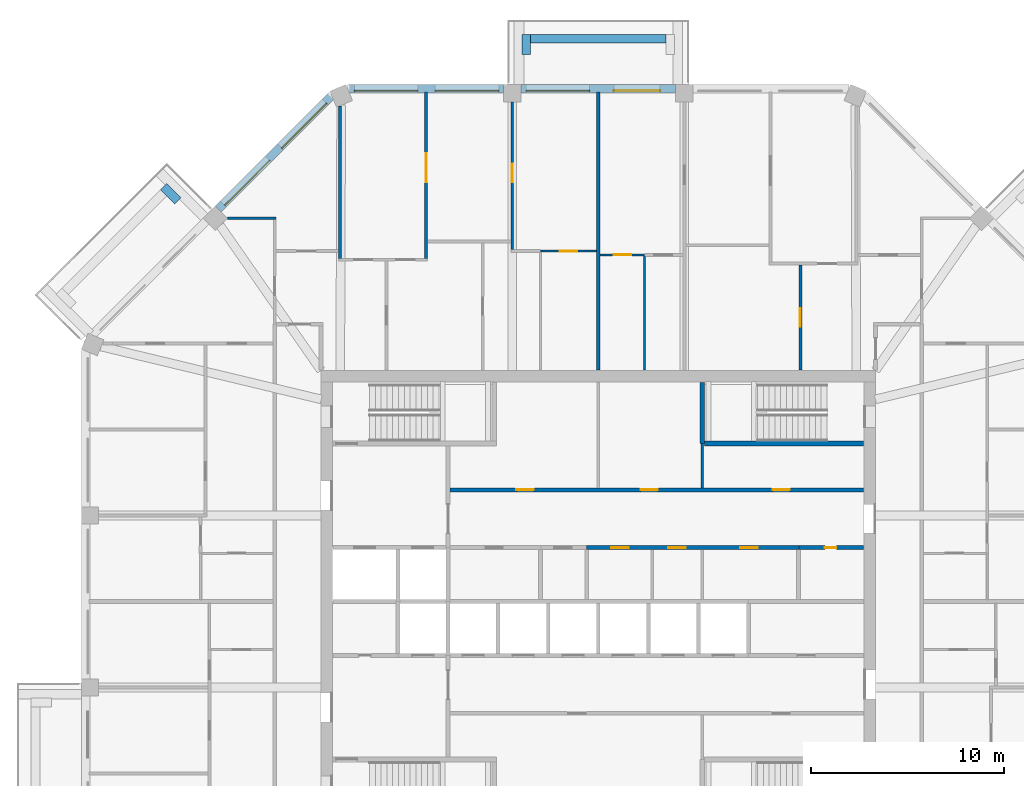
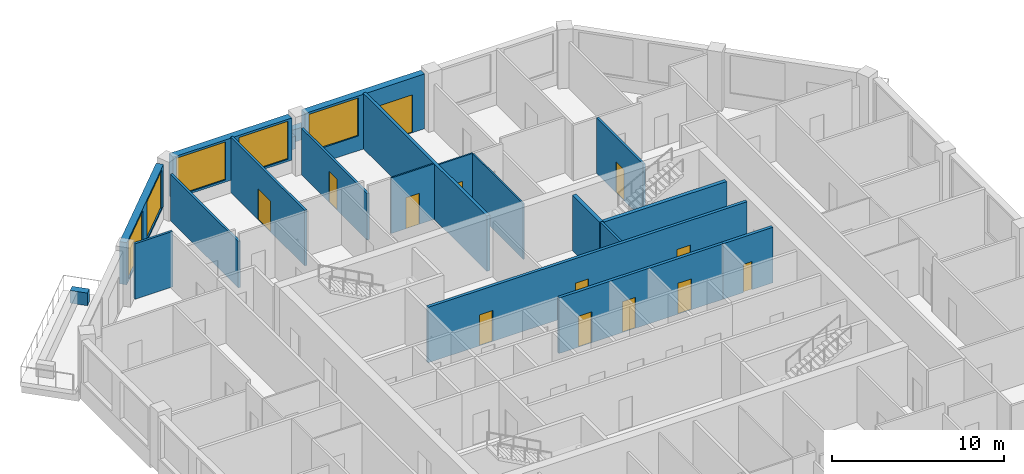
# One storey, part 8 of 11: 21 walls, 13 doors, 5 windows, 18 openings.
"""IFC4 building model written with IfcOpenShell, lengths in metres."""

import ifcopenshell
import ifcopenshell.guid

model = None  # the IFC model being written
_history = None  # IfcOwnerHistory: only IFC2X3 demands one
_inside = {}  # id of a spatial element -> (the spatial element, [elements in it])
_under = {}  # id of a project, library or spatial element -> (it, [spatial elements below it])
_declared = {}  # id of a project -> (the project, [libraries it declares])
_typed = {}  # id of a type object -> (the type object, [elements of that type])
_made_of = {}  # id of a material, layer set ... -> (it, [elements and type objects made of it])


def new_model(schema):
    """Start an empty IFC model of exactly this schema.

    Asked for "IFC4X3", IfcOpenShell would pick the latest addendum, in which some entities
    have other attributes; the version numbers below select the first issue.
    IFC2X3 requires an IfcOwnerHistory on every rooted entity: one is made here for all.
    """
    global model, _history
    if schema == "IFC4X3":
        model = ifcopenshell.file(schema_version=(4, 3, 0, 0))
    else:
        model = ifcopenshell.file(schema=schema)
    _inside.clear()
    _under.clear()
    _declared.clear()
    _typed.clear()
    _made_of.clear()
    _history = None
    if model.schema == "IFC2X3":
        org = make("IfcOrganization", Name="unknown")
        user = make(
            "IfcPersonAndOrganization",
            ThePerson=make("IfcPerson", FamilyName="unknown"),
            TheOrganization=org,
        )
        app = make(
            "IfcApplication",
            ApplicationDeveloper=org,
            Version="unknown",
            ApplicationFullName="unknown",
            ApplicationIdentifier="unknown",
        )
        _history = make(
            "IfcOwnerHistory",
            OwningUser=user,
            OwningApplication=app,
            ChangeAction="ADDED",
            CreationDate=0,
        )
    return model


def make(cls, **values):
    """One entity of the class cls with the attributes given. An attribute that is None is left unset."""
    return model.create_entity(
        cls, **{name: value for name, value in values.items() if value is not None}
    )


def rooted(cls, **values):
    """An entity with a GlobalId (a new one), such as an element, a storey or a relation."""
    return make(cls, GlobalId=ifcopenshell.guid.new(), OwnerHistory=_history, **values)


def si_unit(unit_type, name, prefix=None):
    """IfcSIUnit, for example si_unit("LENGTHUNIT", "METRE", prefix="MILLI")."""
    return make("IfcSIUnit", UnitType=unit_type, Prefix=prefix, Name=name)


def assignment(units):
    """IfcUnitAssignment: the units of a project."""
    return None if units is None else make("IfcUnitAssignment", Units=units)


def point(xyz):
    """IfcCartesianPoint."""
    return None if xyz is None else make("IfcCartesianPoint", Coordinates=xyz)


def direction(xyz):
    """IfcDirection."""
    return None if xyz is None else make("IfcDirection", DirectionRatios=xyz)


def frame(location, z_axis=None, x_axis=None):
    """IfcAxis2Placement3D, a coordinate frame: its origin and axes. An axis left out is left unset."""
    return make(
        "IfcAxis2Placement3D",
        Location=point(location),
        Axis=direction(z_axis),
        RefDirection=direction(x_axis),
    )


def frame_2d(location, x_axis=None):
    """IfcAxis2Placement2D, a coordinate frame in the plane: its origin and x axis."""
    return make(
        "IfcAxis2Placement2D", Location=point(location), RefDirection=direction(x_axis)
    )


def origin():
    """The frame at (0, 0, 0) with its axes left unset."""
    return frame((0.0, 0.0, 0.0))


def place(relative_to, where):
    """IfcLocalPlacement: puts the frame where relative to a parent placement (None: the world)."""
    return make(
        "IfcLocalPlacement", PlacementRelTo=relative_to, RelativePlacement=where
    )


def context(
    kind, dimensions, precision=None, world=None, true_north=None, identifier=None
):
    """IfcGeometricRepresentationContext, for example the 3D "Model" context."""
    return make(
        "IfcGeometricRepresentationContext",
        ContextIdentifier=identifier,
        ContextType=kind,
        CoordinateSpaceDimension=dimensions,
        Precision=precision,
        WorldCoordinateSystem=world,
        TrueNorth=true_north,
    )


def subcontext(parent, identifier, kind, view, scale=None):
    """IfcGeometricRepresentationSubContext, for example "Body" below "Model"."""
    return make(
        "IfcGeometricRepresentationSubContext",
        ContextIdentifier=identifier,
        ContextType=kind,
        ParentContext=parent,
        TargetScale=scale,
        TargetView=view,
    )


def project(units=None, contexts=None):
    """IfcProject with its units and contexts."""
    return rooted(
        "IfcProject",
        Name="project",
        RepresentationContexts=contexts,
        UnitsInContext=assignment(units),
    )


def spatial(cls, under=None, at=None, **own):
    """A site, building, storey or space (cls), placed at a placement, below another one or the project."""
    s = rooted(cls, ObjectPlacement=at, **own)
    if under is not None:
        _under.setdefault(under.id(), (under, []))[1].append(s)
    return s


def profile(cls, at=None, kind="AREA", **sizes):
    """A parametric profile (cls). Its sizes go by their IFC names, for example OverallWidth=200.0."""
    return make(cls, ProfileType=kind, Position=at, **sizes)


def rectangle(**sizes):
    """IfcRectangleProfileDef."""
    return profile("IfcRectangleProfileDef", **sizes)


def extrude(swept, where, along, depth):
    """IfcExtrudedAreaSolid: the profile swept, set in the frame where, extruded along a direction by depth."""
    return make(
        "IfcExtrudedAreaSolid",
        SweptArea=swept,
        Position=where,
        ExtrudedDirection=direction(along),
        Depth=depth,
    )


def shape(context_of_items, identifier, shape_type, items):
    """IfcShapeRepresentation: the items that make up one representation, for example the "Body"."""
    return make(
        "IfcShapeRepresentation",
        ContextOfItems=context_of_items,
        RepresentationIdentifier=identifier,
        RepresentationType=shape_type,
        Items=items,
    )


def material(Name=None, Category=None):
    """IfcMaterial."""
    return make("IfcMaterial", Name=Name, Category=Category)


def layer(
    of_material, thickness, ventilated=None, Name=None, Category=None, Priority=None
):
    """IfcMaterialLayer: one layer of a wall or slab, of a material (None: an air gap)."""
    return make(
        "IfcMaterialLayer",
        Material=of_material,
        LayerThickness=thickness,
        IsVentilated=ventilated,
        Name=Name,
        Category=Category,
        Priority=Priority,
    )


def layer_set(layers, Name=None):
    """IfcMaterialLayerSet."""
    return make("IfcMaterialLayerSet", MaterialLayers=layers, LayerSetName=Name)


def made_of(thing, what):
    """Note that an element or type object is made of a material, layer set ...; save() writes the relation."""
    if what is not None:
        _made_of.setdefault(what.id(), (what, []))[1].append(thing)
    return thing


def type_object(cls, material=None, **own):
    """A type object (cls), such as IfcWallType, which elements share."""
    return made_of(rooted(cls, **own), material)


def element(
    cls,
    number,
    at=None,
    inside=None,
    cuts=None,
    type_object=None,
    material=None,
    context=None,
    identifier="Body",
    shape_type=None,
    held_by="IfcProductDefinitionShape",
    body=None,
    shapes=None,
    **own,
):
    """One element of the class cls, such as IfcWall. Its Tag is "e" and its number.

    at: its placement. inside: the storey or other place that contains it. cuts: it is an
    opening in that element (IfcRelVoidsElement). A single representation is given by context,
    identifier, shape_type and body (its items); several are given by shapes. held_by: the class
    of the entity that holds the representations. save() writes the other relations.
    """
    e = rooted(cls, Tag="e%d" % number, ObjectPlacement=at, **own)
    if body is not None:
        shapes = [shape(context, identifier, shape_type, body)]
    if shapes is not None:
        e.Representation = make(held_by, Representations=shapes)
    if inside is not None:
        _inside.setdefault(inside.id(), (inside, []))[1].append(e)
    if cuts is not None:
        rooted(
            "IfcRelVoidsElement", RelatingBuildingElement=cuts, RelatedOpeningElement=e
        )
    if type_object is not None:
        _typed.setdefault(type_object.id(), (type_object, []))[1].append(e)
    return made_of(e, material)


def fill(opening, filler):
    """IfcRelFillsElement: the door or window that sits in an opening."""
    return rooted(
        "IfcRelFillsElement",
        RelatingOpeningElement=opening,
        RelatedBuildingElement=filler,
    )


def aggregate(whole, parts):
    """IfcRelAggregates: a whole, such as a stair, and the parts it consists of."""
    return rooted("IfcRelAggregates", RelatingObject=whole, RelatedObjects=parts)


def save(model, path):
    """Write the relations noted so far, then the file.

    IfcRelAggregates (storeys below a building ...), IfcRelContainedInSpatialStructure (elements
    in a storey), IfcRelDefinesByType, IfcRelAssociatesMaterial and IfcRelDeclares: one each for
    every whole, place, type object, material and project.
    """
    for whole, parts in _under.values():
        aggregate(whole, parts)
    for where, things in _inside.values():
        rooted(
            "IfcRelContainedInSpatialStructure",
            RelatedElements=things,
            RelatingStructure=where,
        )
    for kind, things in _typed.values():
        rooted("IfcRelDefinesByType", RelatedObjects=things, RelatingType=kind)
    for what, things in _made_of.values():
        rooted("IfcRelAssociatesMaterial", RelatedObjects=things, RelatingMaterial=what)
    for by, libraries in _declared.values():
        rooted("IfcRelDeclares", RelatingContext=by, RelatedDefinitions=libraries)
    model.write(path)


model = new_model("IFC4")

# Units and contexts
model_context = context("Model", 3, precision=1e-05, world=origin(), true_north=direction((0.0, 1.0)))
body_context = subcontext(model_context, "Body", "Model", "MODEL_VIEW")
ifc_project = project(units=[si_unit("LENGTHUNIT", "METRE"), si_unit("AREAUNIT", "SQUARE_METRE"), si_unit("VOLUMEUNIT", "CUBIC_METRE"), si_unit("PLANEANGLEUNIT", "RADIAN"), si_unit("MASSUNIT", "GRAM", prefix="KILO")], contexts=[model_context])

# Site, building, storey
site_placement = place(None, origin())
site = spatial("IfcSite", under=ifc_project, at=site_placement, CompositionType="ELEMENT")
building_placement = place(site_placement, origin())
building = spatial("IfcBuilding", under=site, at=building_placement, Name="Msitu Wima Residences", CompositionType="ELEMENT")
storey_placement = place(building_placement, frame((0.0, 0.0, 230.699951171875)))
storey = spatial("IfcBuildingStorey", under=building, at=storey_placement, Name="L53", CompositionType="ELEMENT", Elevation=230.699951171875)

# Walls
ifc_material_1 = material(Name="Facing brick")
ifc_layer_1 = layer(ifc_material_1, 0.06494140625, Name="Facing brick")
ifc_material_2 = material(Name="Concrete C40/50", Category="concrete")
ifc_layer_2 = layer(ifc_material_2, 0.156005859375, Name="Concrete C40/50")
ifc_material_3 = material(Name="Waterproofing membrane")
ifc_layer_3 = layer(ifc_material_3, 0.00390625, Name="Waterproofing membrane")
ifc_material_4 = material(Name="Planting soil and planting")
ifc_layer_4 = layer(ifc_material_4, 0.22509765625, Name="Planting soil and planting")
ifc_layer_set_1 = layer_set([ifc_layer_1, ifc_layer_2, ifc_layer_3, ifc_layer_4], Name="Concrete C40/50")
wall_type_1 = type_object("IfcWallType", Name="Balcony planter PLANTER PL450", PredefinedType="USERDEFINED", material=ifc_layer_set_1)
wall_1_placement = place(storey_placement, frame((3.5185546875, 29.22509765625, 0.0), z_axis=(0.0, 0.0, 1.0), x_axis=(-1.0, 0.0, 0.0)))
element("IfcWall", 1, at=wall_1_placement, inside=storey, type_object=wall_type_1, Name="Balcony planter N1 L53", ObjectType="PLANTER", PredefinedType="USERDEFINED", context=body_context, shape_type="SweptSolid", body=[
    extrude(rectangle(XDim=7.037109375, YDim=0.449951171875, at=frame_2d((3.5185546875, 0.0))), origin(), (0.0, 0.0, 1.0), 0.900146484375),
])
for number, where, z_axis, x_axis, name in (
    (2, (-3.74365234375, 28.39990234375, 0.0), (0.0, 0.0, 1.0), (0.0, 1.0, 0.0), "Balcony planter N1 L53"),
    (3, (-21.829833984375, 20.804443359375, 0.0), (0.0, 0.0, 1.0), (-0.707106781187, 0.707106781187, 0.0), "Balcony planter NW1 L53"),
):
    element("IfcWall", number, at=place(storey_placement, frame(where, z_axis=z_axis, x_axis=x_axis)), inside=storey, type_object=wall_type_1, Name=name, ObjectType="PLANTER", PredefinedType="USERDEFINED", context=body_context, shape_type="SweptSolid", body=[
        extrude(rectangle(XDim=1.050048828125, YDim=0.449951171875, at=frame_2d((0.52490234375, 0.0))), origin(), (0.0, 0.0, 1.0), 0.900146484375),
    ])

# Wall, openings, door, window
ifc_material_5 = material(Name="Brick (red buff mix)", Category="masonry")
ifc_layer_5 = layer(ifc_material_5, 0.449951171875)
ifc_layer_set_2 = layer_set([ifc_layer_5], Name="Brick (red buff mix)")
wall_type_2 = type_object("IfcWallType", Name="Brick infill wall BW450", PredefinedType="SOLIDWALL", material=ifc_layer_set_2)
wall_2_placement = place(storey_placement, frame((4.0185546875, 26.625, 0.0), z_axis=(0.0, 0.0, 1.0), x_axis=(-1.0, 0.0, 0.0)))
wall_2 = element("IfcWall", 4, at=wall_2_placement, inside=storey, type_object=wall_type_2, Name="Brick infill wall L53 N1", PredefinedType="SOLIDWALL", context=body_context, shape_type="SweptSolid", body=[
    extrude(rectangle(XDim=8.037109375, YDim=0.449951171875, at=frame_2d((4.0185546875, 0.0))), origin(), (0.0, 0.0, 1.0), 3.900146484375),
])
opening_1_placement = place(wall_2_placement, frame((0.809326171875, 0.0, 0.0)))
opening_1 = element("IfcOpeningElement", 5, at=opening_1_placement, cuts=wall_2, Name="Opening D52-54.002", PredefinedType="OPENING", context=body_context, shape_type="SweptSolid", body=[
    extrude(rectangle(XDim=2.39990234375, YDim=2.699951171875, at=frame_2d((1.199951171875, 1.35009765625))), frame((0.0, 0.23486328125, 0.0), z_axis=(0.0, -1.0, 0.0), x_axis=(1.0, 0.0, 0.0)), (0.0, 0.0, 1.0), 0.469970703125),
])
opening_2_placement = place(wall_2_placement, frame((4.46875, 0.0, 1.050048828125)))
opening_2 = element("IfcOpeningElement", 6, at=opening_2_placement, cuts=wall_2, Name="Opening W52-54.008", PredefinedType="OPENING", context=body_context, shape_type="SweptSolid", body=[
    extrude(rectangle(XDim=3.300048828125, YDim=2.699951171875, at=frame_2d((1.64990234375, 1.35009765625))), frame((0.0, 0.23486328125, 0.0), z_axis=(0.0, -1.0, 0.0), x_axis=(1.0, 0.0, 0.0)), (0.0, 0.0, 1.0), 0.469970703125),
])
ifc_material_6 = material(Name="Anodised aluminium, bronze finish, clear low-emissivity double glazing", Category="aluminium")
door_type_1 = type_object("IfcDoorType", Name="Balcony door D2400x2700", OperationType="SLIDING_TO_LEFT", PredefinedType="DOOR", material=ifc_material_6)
door_1_placement = place(opening_1_placement, origin())
door_1 = element("IfcDoor", 7, at=door_1_placement, inside=storey, type_object=door_type_1, Name="Balcony door L53 N1", OperationType="SINGLE_SWING_LEFT", OverallHeight=2.699951171875, OverallWidth=2.39990234375, PredefinedType="DOOR", context=body_context, shape_type="SweptSolid", body=[
    extrude(rectangle(XDim=2.39990234375, YDim=2.699951171875, at=frame_2d((1.199951171875, 1.35009765625))), frame((0.0, 0.1298828125, 0.0), z_axis=(0.0, -1.0, 0.0), x_axis=(1.0, 0.0, 0.0)), (0.0, 0.0, 1.0), 0.050048828125),
])
fill(opening_1, door_1)
window_type = type_object("IfcWindowType", Name="Window W3300x2700", PartitioningType="DOUBLE_PANEL_VERTICAL", PredefinedType="WINDOW", material=ifc_material_6)
window_1_placement = place(opening_2_placement, origin())
window_1 = element("IfcWindow", 8, at=window_1_placement, inside=storey, type_object=window_type, Name="Window L53 N1.2", OverallHeight=2.699951171875, OverallWidth=3.300048828125, PartitioningType="SINGLE_PANEL", PredefinedType="WINDOW", context=body_context, shape_type="SweptSolid", body=[
    extrude(rectangle(XDim=3.300048828125, YDim=2.699951171875, at=frame_2d((1.64990234375, 1.35009765625))), frame((0.0, 0.135009765625, 0.0), z_axis=(0.0, -1.0, 0.0), x_axis=(1.0, 0.0, 0.0)), (0.0, 0.0, 1.0), 0.06005859375),
])
fill(opening_2, window_1)

# Wall, openings, windows
wall_3_placement = place(storey_placement, frame((-4.918701171875, 26.625, 0.900146484375), z_axis=(0.0, 0.0, 1.0), x_axis=(-1.0, 0.0, 0.0)))
wall_3 = element("IfcWall", 9, at=wall_3_placement, inside=storey, type_object=wall_type_2, Name="Brick infill wall L53 N2", PredefinedType="SOLIDWALL", context=body_context, shape_type="SweptSolid", body=[
    extrude(rectangle(XDim=8.0, YDim=0.449951171875, at=frame_2d((4.0, 0.0))), origin(), (0.0, 0.0, 1.0), 3.0),
])
opening_3_placement = place(wall_3_placement, frame((0.25, 0.0, 0.14990234375)))
opening_3 = element("IfcOpeningElement", 10, at=opening_3_placement, cuts=wall_3, Name="Opening W52-54.009", PredefinedType="OPENING", context=body_context, shape_type="SweptSolid", body=[
    extrude(rectangle(XDim=3.300048828125, YDim=2.699951171875, at=frame_2d((1.64990234375, 1.35009765625))), frame((0.0, 0.23486328125, 0.0), z_axis=(0.0, -1.0, 0.0), x_axis=(1.0, 0.0, 0.0)), (0.0, 0.0, 1.0), 0.469970703125),
])
opening_4_placement = place(wall_3_placement, frame((4.4501953125, 0.0, 0.14990234375)))
opening_4 = element("IfcOpeningElement", 11, at=opening_4_placement, cuts=wall_3, Name="Opening W52-54.010", PredefinedType="OPENING", context=body_context, shape_type="SweptSolid", body=[
    extrude(rectangle(XDim=3.300048828125, YDim=2.699951171875, at=frame_2d((1.64990234375, 1.35009765625))), frame((0.0, 0.23486328125, 0.0), z_axis=(0.0, -1.0, 0.0), x_axis=(1.0, 0.0, 0.0)), (0.0, 0.0, 1.0), 0.469970703125),
])
window_2_placement = place(opening_3_placement, origin())
window_2 = element("IfcWindow", 12, at=window_2_placement, inside=storey, type_object=window_type, Name="Window L53 N2.1", OverallHeight=2.699951171875, OverallWidth=3.300048828125, PartitioningType="SINGLE_PANEL", PredefinedType="WINDOW", context=body_context, shape_type="SweptSolid", body=[
    extrude(rectangle(XDim=3.300048828125, YDim=2.699951171875, at=frame_2d((1.64990234375, 1.35009765625))), frame((0.0, 0.135009765625, 0.0), z_axis=(0.0, -1.0, 0.0), x_axis=(1.0, 0.0, 0.0)), (0.0, 0.0, 1.0), 0.06005859375),
])
fill(opening_3, window_2)
window_3_placement = place(opening_4_placement, origin())
window_3 = element("IfcWindow", 13, at=window_3_placement, inside=storey, type_object=window_type, Name="Window L53 N2.2", OverallHeight=2.699951171875, OverallWidth=3.300048828125, PartitioningType="SINGLE_PANEL", PredefinedType="WINDOW", context=body_context, shape_type="SweptSolid", body=[
    extrude(rectangle(XDim=3.300048828125, YDim=2.699951171875, at=frame_2d((1.64990234375, 1.35009765625))), frame((0.0, 0.135009765625, 0.0), z_axis=(0.0, -1.0, 0.0), x_axis=(1.0, 0.0, 0.0)), (0.0, 0.0, 1.0), 0.06005859375),
])
fill(opening_4, window_3)

wall_4_placement = place(storey_placement, frame((-13.909423828125, 26.214599609375, 0.900146484375), z_axis=(0.0, 0.0, 1.0), x_axis=(-0.707106781187, -0.707106781187, 0.0)))
wall_4 = element("IfcWall", 14, at=wall_4_placement, inside=storey, type_object=wall_type_2, Name="Brick infill wall L53 NW0", PredefinedType="SOLIDWALL", context=body_context, shape_type="SweptSolid", body=[
    extrude(rectangle(XDim=8.251220703125, YDim=0.449951171875, at=frame_2d((4.12548828125, 0.0))), origin(), (0.0, 0.0, 1.0), 3.0),
])
opening_5_placement = place(wall_4_placement, frame((0.37548828125, 0.0, 0.14990234375)))
opening_5 = element("IfcOpeningElement", 15, at=opening_5_placement, cuts=wall_4, Name="Opening W52-54.014", PredefinedType="OPENING", context=body_context, shape_type="SweptSolid", body=[
    extrude(rectangle(XDim=3.300048828125, YDim=2.699951171875, at=frame_2d((1.64990234375, 1.35009765625))), frame((0.0, 0.23486328125, 0.0), z_axis=(0.0, -1.0, 0.0), x_axis=(1.0, 0.0, 0.0)), (0.0, 0.0, 1.0), 0.469970703125),
])
opening_6_placement = place(wall_4_placement, frame((4.57568359375, 0.0, 0.14990234375)))
opening_6 = element("IfcOpeningElement", 16, at=opening_6_placement, cuts=wall_4, Name="Opening W52-54.015", PredefinedType="OPENING", context=body_context, shape_type="SweptSolid", body=[
    extrude(rectangle(XDim=3.300048828125, YDim=2.699951171875, at=frame_2d((1.64990234375, 1.35009765625))), frame((0.0, 0.23486328125, 0.0), z_axis=(0.0, -1.0, 0.0), x_axis=(1.0, 0.0, 0.0)), (0.0, 0.0, 1.0), 0.469970703125),
])
window_4_placement = place(opening_5_placement, origin())
window_4 = element("IfcWindow", 17, at=window_4_placement, inside=storey, type_object=window_type, Name="Window L53 NW0.1", OverallHeight=2.699951171875, OverallWidth=3.300048828125, PartitioningType="SINGLE_PANEL", PredefinedType="WINDOW", context=body_context, shape_type="SweptSolid", body=[
    extrude(rectangle(XDim=3.300048828125, YDim=2.699951171875, at=frame_2d((1.64990234375, 1.35009765625))), frame((0.0, 0.135009765625, 0.0), z_axis=(0.0, -1.0, 0.0), x_axis=(1.0, 0.0, 0.0)), (0.0, 0.0, 1.0), 0.06005859375),
])
fill(opening_5, window_4)
window_5_placement = place(opening_6_placement, origin())
window_5 = element("IfcWindow", 18, at=window_5_placement, inside=storey, type_object=window_type, Name="Window L53 NW0.2", OverallHeight=2.699951171875, OverallWidth=3.300048828125, PartitioningType="SINGLE_PANEL", PredefinedType="WINDOW", context=body_context, shape_type="SweptSolid", body=[
    extrude(rectangle(XDim=3.300048828125, YDim=2.699951171875, at=frame_2d((1.64990234375, 1.35009765625))), frame((0.0, 0.135009765625, 0.0), z_axis=(0.0, -1.0, 0.0), x_axis=(1.0, 0.0, 0.0)), (0.0, 0.0, 1.0), 0.06005859375),
])
fill(opening_6, window_5)

# Wall, openings, doors
ifc_material_7 = material(Name="Plaster")
ifc_layer_6 = layer(ifc_material_7, 0.011962890625, Name="Plaster")
ifc_material_8 = material(Name="Concrete blockwork", Category="masonry")
ifc_layer_7 = layer(ifc_material_8, 0.176025390625, Name="Concrete blockwork")
ifc_layer_8 = layer(ifc_material_7, 0.011962890625, Name="Plaster")
ifc_layer_set_3 = layer_set([ifc_layer_6, ifc_layer_7, ifc_layer_8], Name="Concrete blockwork")
wall_type_3 = type_object("IfcWallType", Name="Corridor wall FW200", PredefinedType="PARTITIONING", material=ifc_layer_set_3)
wall_5_placement = place(storey_placement, frame((-7.699951171875, 5.800048828125, 0.0), z_axis=(0.0, 0.0, 1.0), x_axis=(1.0, 0.0, 0.0)))
wall_5 = element("IfcWall", 19, at=wall_5_placement, inside=storey, type_object=wall_type_3, Name="Corridor wall", PredefinedType="PARTITIONING", context=body_context, shape_type="SweptSolid", body=[
    extrude(rectangle(XDim=21.469970703125, YDim=0.199951171875, at=frame_2d((10.73486328125, 0.0))), origin(), (0.0, 0.0, 1.0), 3.949951171875),
])
opening_7_placement = place(wall_5_placement, frame((3.449951171875, 0.0, 0.0)))
opening_7 = element("IfcOpeningElement", 20, at=opening_7_placement, cuts=wall_5, Name="Opening D52-54.071", PredefinedType="OPENING", context=body_context, shape_type="SweptSolid", body=[
    extrude(rectangle(XDim=0.89990234375, YDim=2.199951171875, at=frame_2d((0.449951171875, 1.10009765625))), frame((0.0, 0.10986328125, 0.0), z_axis=(0.0, -1.0, 0.0), x_axis=(1.0, 0.0, 0.0)), (0.0, 0.0, 1.0), 0.219970703125),
])
opening_8_placement = place(wall_5_placement, frame((9.89990234375, 0.0, 0.0)))
opening_8 = element("IfcOpeningElement", 21, at=opening_8_placement, cuts=wall_5, Name="Opening D52-54.072", PredefinedType="OPENING", context=body_context, shape_type="SweptSolid", body=[
    extrude(rectangle(XDim=0.89990234375, YDim=2.199951171875, at=frame_2d((0.449951171875, 1.10009765625))), frame((0.0, 0.10986328125, 0.0), z_axis=(0.0, -1.0, 0.0), x_axis=(1.0, 0.0, 0.0)), (0.0, 0.0, 1.0), 0.219970703125),
])
opening_9_placement = place(wall_5_placement, frame((16.75, 0.0, 0.0)))
opening_9 = element("IfcOpeningElement", 22, at=opening_9_placement, cuts=wall_5, Name="Opening D52-54.073", PredefinedType="OPENING", context=body_context, shape_type="SweptSolid", body=[
    extrude(rectangle(XDim=0.89990234375, YDim=2.199951171875, at=frame_2d((0.449951171875, 1.10009765625))), frame((0.0, 0.10986328125, 0.0), z_axis=(0.0, -1.0, 0.0), x_axis=(1.0, 0.0, 0.0)), (0.0, 0.0, 1.0), 0.219970703125),
])
ifc_material_9 = material(Name="Timber flush door", Category="wood")
door_type_2 = type_object("IfcDoorType", Name="Service door D05 900x2200", OperationType="SINGLE_SWING_LEFT", PredefinedType="DOOR", material=ifc_material_9)
door_2_placement = place(opening_7_placement, origin())
door_2 = element("IfcDoor", 23, at=door_2_placement, inside=storey, type_object=door_type_2, Name="Service door", OperationType="SINGLE_SWING_LEFT", OverallHeight=2.199951171875, OverallWidth=0.89990234375, PredefinedType="DOOR", context=body_context, shape_type="SweptSolid", body=[
    extrude(rectangle(XDim=0.89990234375, YDim=2.199951171875, at=frame_2d((0.449951171875, 1.10009765625))), frame((0.0, 0.02490234375, 0.0), z_axis=(0.0, -1.0, 0.0), x_axis=(1.0, 0.0, 0.0)), (0.0, 0.0, 1.0), 0.050048828125),
])
fill(opening_7, door_2)
door_3_placement = place(opening_8_placement, origin())
door_3 = element("IfcDoor", 24, at=door_3_placement, inside=storey, type_object=door_type_2, Name="Service door", OperationType="SINGLE_SWING_LEFT", OverallHeight=2.199951171875, OverallWidth=0.89990234375, PredefinedType="DOOR", context=body_context, shape_type="SweptSolid", body=[
    extrude(rectangle(XDim=0.89990234375, YDim=2.199951171875, at=frame_2d((0.449951171875, 1.10009765625))), frame((0.0, 0.02490234375, 0.0), z_axis=(0.0, -1.0, 0.0), x_axis=(1.0, 0.0, 0.0)), (0.0, 0.0, 1.0), 0.050048828125),
])
fill(opening_8, door_3)
door_4_placement = place(opening_9_placement, origin())
door_4 = element("IfcDoor", 25, at=door_4_placement, inside=storey, type_object=door_type_2, Name="Service door", OperationType="SINGLE_SWING_RIGHT", OverallHeight=2.199951171875, OverallWidth=0.89990234375, PredefinedType="DOOR", context=body_context, shape_type="SweptSolid", body=[
    extrude(rectangle(XDim=0.89990234375, YDim=2.199951171875, at=frame_2d((0.449951171875, 1.10009765625))), frame((0.0, 0.02490234375, 0.0), z_axis=(0.0, -1.0, 0.0), x_axis=(1.0, 0.0, 0.0)), (0.0, 0.0, 1.0), 0.050048828125),
])
fill(opening_9, door_4)

wall_6_placement = place(storey_placement, frame((-0.6201171875, 2.800048828125, 0.0), z_axis=(0.0, 0.0, 1.0), x_axis=(1.0, 0.0, 0.0)))
wall_6 = element("IfcWall", 26, at=wall_6_placement, inside=storey, type_object=wall_type_3, Name="Corridor wall", PredefinedType="PARTITIONING", context=body_context, shape_type="SweptSolid", body=[
    extrude(rectangle(XDim=11.0400390625, YDim=0.199951171875, at=frame_2d((5.52001953125, 0.0))), origin(), (0.0, 0.0, 1.0), 3.949951171875),
])
opening_10_placement = place(wall_6_placement, frame((1.300048828125, 0.0, 0.0)))
opening_10 = element("IfcOpeningElement", 27, at=opening_10_placement, cuts=wall_6, Name="Opening D52-54.080", PredefinedType="OPENING", context=body_context, shape_type="SweptSolid", body=[
    extrude(rectangle(XDim=0.89990234375, YDim=2.199951171875, at=frame_2d((0.449951171875, 1.10009765625))), frame((0.0, 0.10986328125, 0.0), z_axis=(0.0, -1.0, 0.0), x_axis=(1.0, 0.0, 0.0)), (0.0, 0.0, 1.0), 0.219970703125),
])
opening_11_placement = place(wall_6_placement, frame((4.25, 0.0, 0.0)))
opening_11 = element("IfcOpeningElement", 28, at=opening_11_placement, cuts=wall_6, Name="Opening D52-54.081", PredefinedType="OPENING", context=body_context, shape_type="SweptSolid", body=[
    extrude(rectangle(XDim=0.89990234375, YDim=2.199951171875, at=frame_2d((0.449951171875, 1.10009765625))), frame((0.0, 0.10986328125, 0.0), z_axis=(0.0, -1.0, 0.0), x_axis=(1.0, 0.0, 0.0)), (0.0, 0.0, 1.0), 0.219970703125),
])
opening_12_placement = place(wall_6_placement, frame((8.0, 0.0, 0.0)))
opening_12 = element("IfcOpeningElement", 29, at=opening_12_placement, cuts=wall_6, Name="Opening D52-54.082", PredefinedType="OPENING", context=body_context, shape_type="SweptSolid", body=[
    extrude(rectangle(XDim=0.89990234375, YDim=2.199951171875, at=frame_2d((0.449951171875, 1.10009765625))), frame((0.0, 0.10986328125, 0.0), z_axis=(0.0, -1.0, 0.0), x_axis=(1.0, 0.0, 0.0)), (0.0, 0.0, 1.0), 0.219970703125),
])
door_5_placement = place(opening_10_placement, origin())
door_5 = element("IfcDoor", 30, at=door_5_placement, inside=storey, type_object=door_type_2, Name="Service door", OperationType="SINGLE_SWING_LEFT", OverallHeight=2.199951171875, OverallWidth=0.89990234375, PredefinedType="DOOR", context=body_context, shape_type="SweptSolid", body=[
    extrude(rectangle(XDim=0.89990234375, YDim=2.199951171875, at=frame_2d((0.449951171875, 1.10009765625))), frame((0.0, 0.02490234375, 0.0), z_axis=(0.0, -1.0, 0.0), x_axis=(1.0, 0.0, 0.0)), (0.0, 0.0, 1.0), 0.050048828125),
])
fill(opening_10, door_5)
door_6_placement = place(opening_11_placement, origin())
door_6 = element("IfcDoor", 31, at=door_6_placement, inside=storey, type_object=door_type_2, Name="Service door", OperationType="SINGLE_SWING_RIGHT", OverallHeight=2.199951171875, OverallWidth=0.89990234375, PredefinedType="DOOR", context=body_context, shape_type="SweptSolid", body=[
    extrude(rectangle(XDim=0.89990234375, YDim=2.199951171875, at=frame_2d((0.449951171875, 1.10009765625))), frame((0.0, 0.02490234375, 0.0), z_axis=(0.0, -1.0, 0.0), x_axis=(1.0, 0.0, 0.0)), (0.0, 0.0, 1.0), 0.050048828125),
])
fill(opening_11, door_6)
door_7_placement = place(opening_12_placement, origin())
door_7 = element("IfcDoor", 32, at=door_7_placement, inside=storey, type_object=door_type_2, Name="Service door", OperationType="SINGLE_SWING_RIGHT", OverallHeight=2.199951171875, OverallWidth=0.89990234375, PredefinedType="DOOR", context=body_context, shape_type="SweptSolid", body=[
    extrude(rectangle(XDim=0.89990234375, YDim=2.199951171875, at=frame_2d((0.449951171875, 1.10009765625))), frame((0.0, 0.02490234375, 0.0), z_axis=(0.0, -1.0, 0.0), x_axis=(1.0, 0.0, 0.0)), (0.0, 0.0, 1.0), 0.050048828125),
])
fill(opening_12, door_7)

# Walls
ifc_layer_9 = layer(ifc_material_7, 0.011962890625, Name="Plaster")
ifc_layer_10 = layer(ifc_material_8, 0.1259765625, Name="Concrete blockwork")
ifc_layer_11 = layer(ifc_material_7, 0.011962890625, Name="Plaster")
ifc_layer_set_4 = layer_set([ifc_layer_9, ifc_layer_10, ifc_layer_11], Name="Concrete blockwork")
wall_type_4 = type_object("IfcWallType", Name="Partition PW150", PredefinedType="PARTITIONING", material=ifc_layer_set_4)
wall_7_placement = place(storey_placement, frame((-19.2666015625, 19.90283203125, 0.0), z_axis=(0.0, 0.0, 1.0), x_axis=(1.0, 0.0, 0.0)))
element("IfcWall", 33, at=wall_7_placement, inside=storey, type_object=wall_type_4, Name="Partition", PredefinedType="PARTITIONING", context=body_context, shape_type="SweptSolid", body=[
    extrude(rectangle(XDim=2.54150390625, YDim=0.14990234375, at=frame_2d((1.270751953125, 0.0))), origin(), (0.0, 0.0, 1.0), 3.949951171875),
])
wall_8_placement = place(storey_placement, frame((-13.406005859375, 17.824951171875, 0.0), z_axis=(0.0, 0.0, 1.0), x_axis=(0.0, 1.0, 0.0)))
element("IfcWall", 34, at=wall_8_placement, inside=storey, type_object=wall_type_4, Name="Partition", PredefinedType="PARTITIONING", context=body_context, shape_type="SweptSolid", body=[
    extrude(rectangle(XDim=7.90625, YDim=0.14990234375, at=frame_2d((3.953125, 0.0))), origin(), (0.0, 0.0, 1.0), 3.300048828125),
])

# Wall, opening, door
wall_9_placement = place(storey_placement, frame((-8.937255859375, 17.824951171875, 0.0), z_axis=(0.0, 0.0, 1.0), x_axis=(0.0, 1.0, 0.0)))
wall_9 = element("IfcWall", 35, at=wall_9_placement, inside=storey, type_object=wall_type_4, Name="Partition", PredefinedType="PARTITIONING", context=body_context, shape_type="SweptSolid", body=[
    extrude(rectangle(XDim=8.630126953125, YDim=0.14990234375, at=frame_2d((4.31494140625, 0.0))), origin(), (0.0, 0.0, 1.0), 3.949951171875),
])
opening_13_placement = place(wall_9_placement, frame((3.949951171875, 0.0, 0.0)))
opening_13 = element("IfcOpeningElement", 36, at=opening_13_placement, cuts=wall_9, Name="Opening D52-54.033", PredefinedType="OPENING", context=body_context, shape_type="SweptSolid", body=[
    extrude(rectangle(XDim=1.5, YDim=2.199951171875, at=frame_2d((0.75, 1.10009765625))), frame((0.0, 0.0849609375, 0.0), z_axis=(0.0, -1.0, 0.0), x_axis=(1.0, 0.0, 0.0)), (0.0, 0.0, 1.0), 0.169921875),
])
ifc_material_10 = material(Name="Timber double door", Category="wood")
door_type_3 = type_object("IfcDoorType", Name="Double door D04 1500x2200", OperationType="DOUBLE_DOOR_SINGLE_SWING", PredefinedType="DOOR", material=ifc_material_10)
door_8_placement = place(opening_13_placement, origin())
door_8 = element("IfcDoor", 37, at=door_8_placement, inside=storey, type_object=door_type_3, Name="Double door", OperationType="DOUBLE_DOOR_SINGLE_SWING", OverallHeight=2.199951171875, OverallWidth=1.5, PredefinedType="DOOR", context=body_context, shape_type="SweptSolid", body=[
    extrude(rectangle(XDim=1.5, YDim=2.199951171875, at=frame_2d((0.75, 1.10009765625))), frame((0.0, 0.02490234375, 0.0), z_axis=(0.0, -1.0, 0.0), x_axis=(1.0, 0.0, 0.0)), (0.0, 0.0, 1.0), 0.050048828125),
])
fill(opening_13, door_8)

wall_10_placement = place(storey_placement, frame((-4.46875, 18.27490234375, 0.0), z_axis=(0.0, 0.0, 1.0), x_axis=(0.0, 1.0, 0.0)))
wall_10 = element("IfcWall", 38, at=wall_10_placement, inside=storey, type_object=wall_type_4, Name="Partition", PredefinedType="PARTITIONING", context=body_context, shape_type="SweptSolid", body=[
    extrude(rectangle(XDim=7.675048828125, YDim=0.14990234375, at=frame_2d((3.83740234375, 0.0))), origin(), (0.0, 0.0, 1.0), 3.300048828125),
])
opening_14_placement = place(wall_10_placement, frame((3.5, 0.0, 0.0)))
opening_14 = element("IfcOpeningElement", 39, at=opening_14_placement, cuts=wall_10, Name="Opening D52-54.025", PredefinedType="OPENING", context=body_context, shape_type="SweptSolid", body=[
    extrude(rectangle(XDim=0.949951171875, YDim=2.199951171875, at=frame_2d((0.47509765625, 1.10009765625))), frame((0.0, 0.0849609375, 0.0), z_axis=(0.0, -1.0, 0.0), x_axis=(1.0, 0.0, 0.0)), (0.0, 0.0, 1.0), 0.169921875),
])
door_type_4 = type_object("IfcDoorType", Name="Room door D12 950x2200", OperationType="SINGLE_SWING_LEFT", PredefinedType="DOOR", material=ifc_material_9)
door_9_placement = place(opening_14_placement, origin())
door_9 = element("IfcDoor", 40, at=door_9_placement, inside=storey, type_object=door_type_4, Name="Room door", OperationType="SINGLE_SWING_LEFT", OverallHeight=2.199951171875, OverallWidth=0.949951171875, PredefinedType="DOOR", context=body_context, shape_type="SweptSolid", body=[
    extrude(rectangle(XDim=0.949951171875, YDim=2.199951171875, at=frame_2d((0.47509765625, 1.10009765625))), frame((0.0, 0.02490234375, 0.0), z_axis=(0.0, -1.0, 0.0), x_axis=(1.0, 0.0, 0.0)), (0.0, 0.0, 1.0), 0.050048828125),
])
fill(opening_14, door_9)

# Wall
wall_11_placement = place(storey_placement, frame((5.39990234375, 5.89990234375, 0.0), z_axis=(0.0, 0.0, 1.0), x_axis=(0.0, 1.0, 0.0)))
element("IfcWall", 41, at=wall_11_placement, inside=storey, type_object=wall_type_4, Name="Partition", PredefinedType="PARTITIONING", context=body_context, shape_type="SweptSolid", body=[
    extrude(rectangle(XDim=2.300048828125, YDim=0.14990234375, at=frame_2d((1.14990234375, 0.0))), origin(), (0.0, 0.0, 1.0), 3.949951171875),
])

# Wall, opening, door
wall_12_placement = place(storey_placement, frame((10.5, 12.030029296875, 0.0), z_axis=(0.0, 0.0, 1.0), x_axis=(0.0, 1.0, 0.0)))
wall_12 = element("IfcWall", 42, at=wall_12_placement, inside=storey, type_object=wall_type_4, Name="Partition", PredefinedType="PARTITIONING", context=body_context, shape_type="SweptSolid", body=[
    extrude(rectangle(XDim=5.445068359375, YDim=0.14990234375, at=frame_2d((2.72265625, 0.0))), origin(), (0.0, 0.0, 1.0), 3.949951171875),
])
opening_15_placement = place(wall_12_placement, frame((2.25, 0.0, 0.0)))
opening_15 = element("IfcOpeningElement", 43, at=opening_15_placement, cuts=wall_12, Name="Opening D52-54.009", PredefinedType="OPENING", context=body_context, shape_type="SweptSolid", body=[
    extrude(rectangle(XDim=0.949951171875, YDim=2.199951171875, at=frame_2d((0.47509765625, 1.10009765625))), frame((0.0, 0.0849609375, 0.0), z_axis=(0.0, -1.0, 0.0), x_axis=(1.0, 0.0, 0.0)), (0.0, 0.0, 1.0), 0.169921875),
])
door_10_placement = place(opening_15_placement, origin())
door_10 = element("IfcDoor", 44, at=door_10_placement, inside=storey, type_object=door_type_4, Name="Room door", OperationType="SINGLE_SWING_RIGHT", OverallHeight=2.199951171875, OverallWidth=0.949951171875, PredefinedType="DOOR", context=body_context, shape_type="SweptSolid", body=[
    extrude(rectangle(XDim=0.949951171875, YDim=2.199951171875, at=frame_2d((0.47509765625, 1.10009765625))), frame((0.0, 0.02490234375, 0.0), z_axis=(0.0, -1.0, 0.0), x_axis=(1.0, 0.0, 0.0)), (0.0, 0.0, 1.0), 0.050048828125),
])
fill(opening_15, door_10)

# Wall
ifc_layer_12 = layer(ifc_material_7, 0.011962890625, Name="Plaster")
ifc_material_11 = material(Name="Dense concrete blockwork", Category="masonry")
ifc_layer_13 = layer(ifc_material_11, 0.176025390625, Name="Dense concrete blockwork")
ifc_layer_14 = layer(ifc_material_7, 0.011962890625, Name="Plaster")
ifc_layer_set_5 = layer_set([ifc_layer_12, ifc_layer_13, ifc_layer_14], Name="Dense concrete blockwork")
wall_type_5 = type_object("IfcWallType", Name="Party wall PW200", PredefinedType="PARTITIONING", material=ifc_layer_set_5)
wall_13_placement = place(storey_placement, frame((0.0, 12.030029296875, 0.0), z_axis=(0.0, 0.0, 1.0), x_axis=(0.0, 1.0, 0.0)))
element("IfcWall", 45, at=wall_13_placement, inside=storey, type_object=wall_type_5, Name="Party wall", PredefinedType="PARTITIONING", context=body_context, shape_type="SweptSolid", body=[
    extrude(rectangle(XDim=14.425048828125, YDim=0.199951171875, at=frame_2d((7.21240234375, 0.0))), origin(), (0.0, 0.0, 1.0), 3.949951171875),
])

# Wall, opening, door
ifc_layer_15 = layer(ifc_material_7, 0.011962890625, Name="Plaster")
ifc_material_12 = material(Name="Reinforced concrete blockwork", Category="masonry")
ifc_layer_16 = layer(ifc_material_12, 0.176025390625, Name="Reinforced concrete blockwork")
ifc_layer_17 = layer(ifc_material_7, 0.011962890625, Name="Plaster")
ifc_layer_set_6 = layer_set([ifc_layer_15, ifc_layer_16, ifc_layer_17], Name="Reinforced concrete blockwork")
wall_type_6 = type_object("IfcWallType", Name="Plant and riser wall PL200", PredefinedType="PARTITIONING", material=ifc_layer_set_6)
wall_14_placement = place(storey_placement, frame((10.419921875, 2.800048828125, 0.0), z_axis=(0.0, 0.0, 1.0), x_axis=(1.0, 0.0, 0.0)))
wall_14 = element("IfcWall", 46, at=wall_14_placement, inside=storey, type_object=wall_type_6, Name="Plant and riser wall", PredefinedType="PARTITIONING", context=body_context, shape_type="SweptSolid", body=[
    extrude(rectangle(XDim=3.35009765625, YDim=0.199951171875, at=frame_2d((1.675048828125, 0.0))), origin(), (0.0, 0.0, 1.0), 3.949951171875),
])
opening_16_placement = place(wall_14_placement, frame((1.35009765625, 0.0, 0.0)))
opening_16 = element("IfcOpeningElement", 47, at=opening_16_placement, cuts=wall_14, Name="Opening D52-54.083", PredefinedType="OPENING", context=body_context, shape_type="SweptSolid", body=[
    extrude(rectangle(XDim=0.60009765625, YDim=2.0, at=frame_2d((0.300048828125, 1.0))), frame((0.0, 0.10986328125, 0.0), z_axis=(0.0, -1.0, 0.0), x_axis=(1.0, 0.0, 0.0)), (0.0, 0.0, 1.0), 0.219970703125),
])
ifc_material_13 = material(Name="Steel access door, fire resisting", Category="steel")
door_type_5 = type_object("IfcDoorType", Name="Riser access door D08 600x2000", OperationType="SINGLE_SWING_LEFT", PredefinedType="DOOR", material=ifc_material_13)
door_11_placement = place(opening_16_placement, origin())
door_11 = element("IfcDoor", 48, at=door_11_placement, inside=storey, type_object=door_type_5, Name="Riser access door", OperationType="SINGLE_SWING_RIGHT", OverallHeight=2.0, OverallWidth=0.60009765625, PredefinedType="DOOR", context=body_context, shape_type="SweptSolid", body=[
    extrude(rectangle(XDim=0.60009765625, YDim=2.0, at=frame_2d((0.300048828125, 1.0))), frame((0.0, 0.02490234375, 0.0), z_axis=(0.0, -1.0, 0.0), x_axis=(1.0, 0.0, 0.0)), (0.0, 0.0, 1.0), 0.050048828125),
])
fill(opening_16, door_11)

# Walls
ifc_material_14 = material(Name="Concrete C50/60", Category="concrete")
ifc_layer_18 = layer(ifc_material_14, 0.25)
ifc_layer_set_7 = layer_set([ifc_layer_18], Name="Concrete C50/60")
wall_type_7 = type_object("IfcWallType", Name="Stair enclosure wall SW250", PredefinedType="SHEAR", material=ifc_layer_set_7)
wall_15_placement = place(storey_placement, frame((5.39990234375, 8.199951171875, 0.0), z_axis=(0.0, 0.0, 1.0), x_axis=(0.0, 1.0, 0.0)))
element("IfcWall", 49, at=wall_15_placement, inside=storey, type_object=wall_type_7, Name="Stair enclosure wall", PredefinedType="SHEAR", context=body_context, shape_type="SweptSolid", body=[
    extrude(rectangle(XDim=3.170166015625, YDim=0.25, at=frame_2d((1.5849609375, 0.0))), origin(), (0.0, 0.0, 1.0), 3.949951171875),
])
wall_16_placement = place(storey_placement, frame((5.52490234375, 8.199951171875, 0.0), z_axis=(0.0, 0.0, 1.0), x_axis=(1.0, 0.0, 0.0)))
element("IfcWall", 50, at=wall_16_placement, inside=storey, type_object=wall_type_7, Name="Stair enclosure wall", PredefinedType="SHEAR", context=body_context, shape_type="SweptSolid", body=[
    extrude(rectangle(XDim=8.2451171875, YDim=0.25, at=frame_2d((4.12255859375, 0.0))), origin(), (0.0, 0.0, 1.0), 3.949951171875),
])

# Wall, opening, door
ifc_material_15 = material(Name="Ceramic tiles")
ifc_layer_19 = layer(ifc_material_15, 0.008056640625, Name="Ceramic tiles")
ifc_material_16 = material(Name="Moisture-resistant board")
ifc_layer_20 = layer(ifc_material_16, 0.012451171875, Name="Moisture-resistant board")
ifc_material_17 = material(Name="Light-gauge stud framing with mineral wool")
ifc_layer_21 = layer(ifc_material_17, 0.06689453125, Name="Light-gauge stud framing with mineral wool")
ifc_layer_22 = layer(ifc_material_16, 0.012451171875, Name="Moisture-resistant board")
ifc_layer_set_8 = layer_set([ifc_layer_19, ifc_layer_20, ifc_layer_21, ifc_layer_22], Name="Light-gauge stud framing with mineral wool")
wall_type_8 = type_object("IfcWallType", Name="Wet wall PW100", PredefinedType="PARTITIONING", material=ifc_layer_set_8)
wall_17_placement = place(storey_placement, frame((-3.0, 18.199951171875, 0.0), z_axis=(0.0, 0.0, 1.0), x_axis=(1.0, 0.0, 0.0)))
wall_17 = element("IfcWall", 51, at=wall_17_placement, inside=storey, type_object=wall_type_8, Name="Wet wall", PredefinedType="PARTITIONING", context=body_context, shape_type="SweptSolid", body=[
    extrude(rectangle(XDim=2.89990234375, YDim=0.10009765625, at=frame_2d((1.449951171875, 0.0))), origin(), (0.0, 0.0, 1.0), 3.949951171875),
])
opening_17_placement = place(wall_17_placement, frame((1.0, 0.0, 0.0)))
opening_17 = element("IfcOpeningElement", 52, at=opening_17_placement, cuts=wall_17, Name="Opening D52-54.027", PredefinedType="OPENING", context=body_context, shape_type="SweptSolid", body=[
    extrude(rectangle(XDim=0.89990234375, YDim=2.199951171875, at=frame_2d((0.449951171875, 1.10009765625))), frame((0.0, 0.06005859375, 0.0), z_axis=(0.0, -1.0, 0.0), x_axis=(1.0, 0.0, 0.0)), (0.0, 0.0, 1.0), 0.1201171875),
])
ifc_material_18 = material(Name="Timber flush door, moisture resistant", Category="wood")
door_type_6 = type_object("IfcDoorType", Name="Bathroom door D03 900x2200", OperationType="SINGLE_SWING_LEFT", PredefinedType="DOOR", material=ifc_material_18)
door_12_placement = place(opening_17_placement, origin())
door_12 = element("IfcDoor", 53, at=door_12_placement, inside=storey, type_object=door_type_6, Name="Bathroom door", OperationType="SINGLE_SWING_RIGHT", OverallHeight=2.199951171875, OverallWidth=0.89990234375, PredefinedType="DOOR", context=body_context, shape_type="SweptSolid", body=[
    extrude(rectangle(XDim=0.89990234375, YDim=2.199951171875, at=frame_2d((0.449951171875, 1.10009765625))), frame((0.0, 0.02490234375, 0.0), z_axis=(0.0, -1.0, 0.0), x_axis=(1.0, 0.0, 0.0)), (0.0, 0.0, 1.0), 0.050048828125),
])
fill(opening_17, door_12)

wall_18_placement = place(storey_placement, frame((0.10009765625, 18.0, 0.0), z_axis=(0.0, 0.0, 1.0), x_axis=(1.0, 0.0, 0.0)))
wall_18 = element("IfcWall", 54, at=wall_18_placement, inside=storey, type_object=wall_type_8, Name="Wet wall", PredefinedType="PARTITIONING", context=body_context, shape_type="SweptSolid", body=[
    extrude(rectangle(XDim=2.2998046875, YDim=0.10009765625, at=frame_2d((1.14990234375, 0.0))), origin(), (0.0, 0.0, 1.0), 3.949951171875),
])
opening_18_placement = place(wall_18_placement, frame((0.699951171875, 0.0, 0.0)))
opening_18 = element("IfcOpeningElement", 55, at=opening_18_placement, cuts=wall_18, Name="Opening D52-54.012", PredefinedType="OPENING", context=body_context, shape_type="SweptSolid", body=[
    extrude(rectangle(XDim=0.89990234375, YDim=2.199951171875, at=frame_2d((0.449951171875, 1.10009765625))), frame((0.0, 0.06005859375, 0.0), z_axis=(0.0, -1.0, 0.0), x_axis=(1.0, 0.0, 0.0)), (0.0, 0.0, 1.0), 0.1201171875),
])
door_13_placement = place(opening_18_placement, origin())
door_13 = element("IfcDoor", 56, at=door_13_placement, inside=storey, type_object=door_type_6, Name="Bathroom door", OperationType="SINGLE_SWING_LEFT", OverallHeight=2.199951171875, OverallWidth=0.89990234375, PredefinedType="DOOR", context=body_context, shape_type="SweptSolid", body=[
    extrude(rectangle(XDim=0.89990234375, YDim=2.199951171875, at=frame_2d((0.449951171875, 1.10009765625))), frame((0.0, 0.02490234375, 0.0), z_axis=(0.0, -1.0, 0.0), x_axis=(1.0, 0.0, 0.0)), (0.0, 0.0, 1.0), 0.050048828125),
])
fill(opening_18, door_13)

# Wall
wall_19_placement = place(storey_placement, frame((2.39990234375, 12.030029296875, 0.0), z_axis=(0.0, 0.0, 1.0), x_axis=(0.0, 1.0, 0.0)))
element("IfcWall", 57, at=wall_19_placement, inside=storey, type_object=wall_type_8, Name="Wet wall", PredefinedType="PARTITIONING", context=body_context, shape_type="SweptSolid", body=[
    extrude(rectangle(XDim=5.89501953125, YDim=0.10009765625, at=frame_2d((2.947509765625, 0.0))), origin(), (0.0, 0.0, 1.0), 3.949951171875),
])

save(model, "model.ifc")
